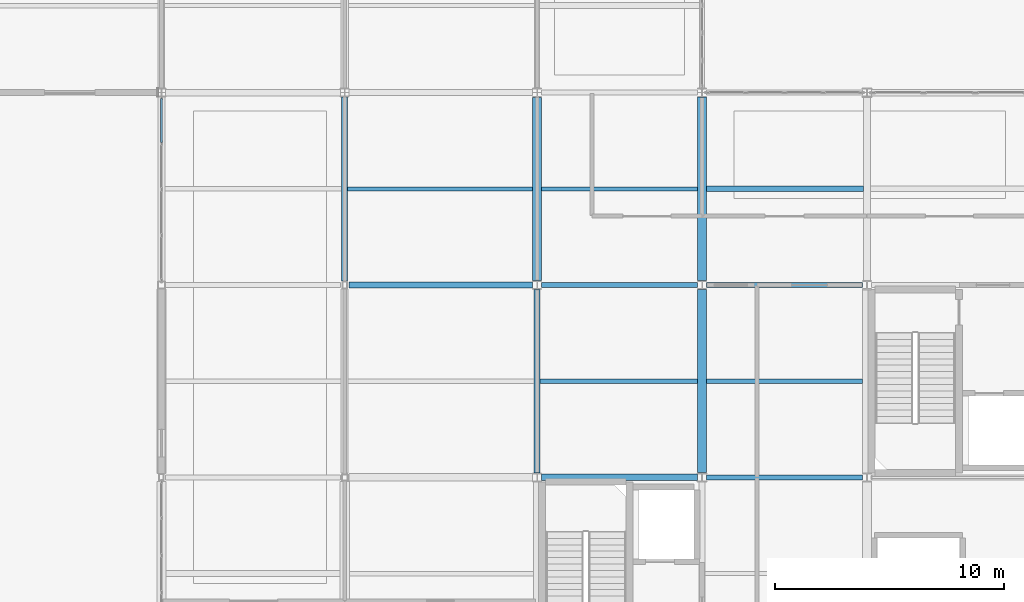
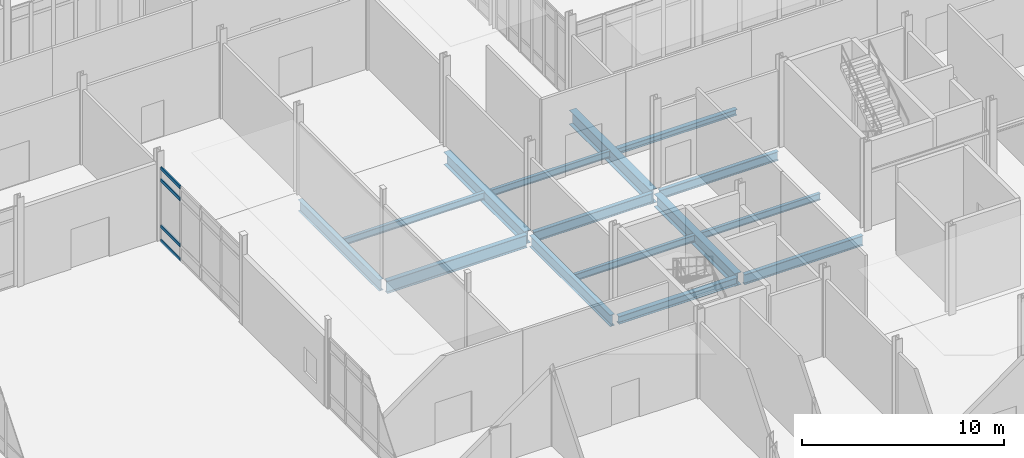
# One storey, part 61 of 229: 15 beams, 4 members, 1 element without a shape of its own.
"""IFC4 building model written with IfcOpenShell, lengths in metres."""

import ifcopenshell
import ifcopenshell.guid

model = None  # the IFC model being written
_history = None  # IfcOwnerHistory: only IFC2X3 demands one
_inside = {}  # id of a spatial element -> (the spatial element, [elements in it])
_under = {}  # id of a project, library or spatial element -> (it, [spatial elements below it])
_declared = {}  # id of a project -> (the project, [libraries it declares])
_typed = {}  # id of a type object -> (the type object, [elements of that type])
_made_of = {}  # id of a material, layer set ... -> (it, [elements and type objects made of it])


def new_model(schema):
    """Start an empty IFC model of exactly this schema.

    Asked for "IFC4X3", IfcOpenShell would pick the latest addendum, in which some entities
    have other attributes; the version numbers below select the first issue.
    IFC2X3 requires an IfcOwnerHistory on every rooted entity: one is made here for all.
    """
    global model, _history
    if schema == "IFC4X3":
        model = ifcopenshell.file(schema_version=(4, 3, 0, 0))
    else:
        model = ifcopenshell.file(schema=schema)
    _inside.clear()
    _under.clear()
    _declared.clear()
    _typed.clear()
    _made_of.clear()
    _history = None
    if model.schema == "IFC2X3":
        org = make("IfcOrganization", Name="unknown")
        user = make(
            "IfcPersonAndOrganization",
            ThePerson=make("IfcPerson", FamilyName="unknown"),
            TheOrganization=org,
        )
        app = make(
            "IfcApplication",
            ApplicationDeveloper=org,
            Version="unknown",
            ApplicationFullName="unknown",
            ApplicationIdentifier="unknown",
        )
        _history = make(
            "IfcOwnerHistory",
            OwningUser=user,
            OwningApplication=app,
            ChangeAction="ADDED",
            CreationDate=0,
        )
    return model


def make(cls, **values):
    """One entity of the class cls with the attributes given. An attribute that is None is left unset."""
    return model.create_entity(
        cls, **{name: value for name, value in values.items() if value is not None}
    )


def rooted(cls, **values):
    """An entity with a GlobalId (a new one), such as an element, a storey or a relation."""
    return make(cls, GlobalId=ifcopenshell.guid.new(), OwnerHistory=_history, **values)


def si_unit(unit_type, name, prefix=None):
    """IfcSIUnit, for example si_unit("LENGTHUNIT", "METRE", prefix="MILLI")."""
    return make("IfcSIUnit", UnitType=unit_type, Prefix=prefix, Name=name)


def assignment(units):
    """IfcUnitAssignment: the units of a project."""
    return None if units is None else make("IfcUnitAssignment", Units=units)


def point(xyz):
    """IfcCartesianPoint."""
    return None if xyz is None else make("IfcCartesianPoint", Coordinates=xyz)


def direction(xyz):
    """IfcDirection."""
    return None if xyz is None else make("IfcDirection", DirectionRatios=xyz)


def frame(location, z_axis=None, x_axis=None):
    """IfcAxis2Placement3D, a coordinate frame: its origin and axes. An axis left out is left unset."""
    return make(
        "IfcAxis2Placement3D",
        Location=point(location),
        Axis=direction(z_axis),
        RefDirection=direction(x_axis),
    )


def frame_2d(location, x_axis=None):
    """IfcAxis2Placement2D, a coordinate frame in the plane: its origin and x axis."""
    return make(
        "IfcAxis2Placement2D", Location=point(location), RefDirection=direction(x_axis)
    )


def origin():
    """The frame at (0, 0, 0) with its axes left unset."""
    return frame((0.0, 0.0, 0.0))


def origin_2d():
    """The frame at (0, 0) in the plane with its x axis left unset."""
    return frame_2d((0.0, 0.0))


def place(relative_to, where):
    """IfcLocalPlacement: puts the frame where relative to a parent placement (None: the world)."""
    return make(
        "IfcLocalPlacement", PlacementRelTo=relative_to, RelativePlacement=where
    )


def context(
    kind, dimensions, precision=None, world=None, true_north=None, identifier=None
):
    """IfcGeometricRepresentationContext, for example the 3D "Model" context."""
    return make(
        "IfcGeometricRepresentationContext",
        ContextIdentifier=identifier,
        ContextType=kind,
        CoordinateSpaceDimension=dimensions,
        Precision=precision,
        WorldCoordinateSystem=world,
        TrueNorth=true_north,
    )


def subcontext(parent, identifier, kind, view, scale=None):
    """IfcGeometricRepresentationSubContext, for example "Body" below "Model"."""
    return make(
        "IfcGeometricRepresentationSubContext",
        ContextIdentifier=identifier,
        ContextType=kind,
        ParentContext=parent,
        TargetScale=scale,
        TargetView=view,
    )


def project(units=None, contexts=None):
    """IfcProject with its units and contexts."""
    return rooted(
        "IfcProject",
        Name="project",
        RepresentationContexts=contexts,
        UnitsInContext=assignment(units),
    )


def spatial(cls, under=None, at=None, **own):
    """A site, building, storey or space (cls), placed at a placement, below another one or the project."""
    s = rooted(cls, ObjectPlacement=at, **own)
    if under is not None:
        _under.setdefault(under.id(), (under, []))[1].append(s)
    return s


def profile(cls, at=None, kind="AREA", **sizes):
    """A parametric profile (cls). Its sizes go by their IFC names, for example OverallWidth=200.0."""
    return make(cls, ProfileType=kind, Position=at, **sizes)


def hollow_rectangle(**sizes):
    """IfcRectangleHollowProfileDef."""
    return profile("IfcRectangleHollowProfileDef", **sizes)


def i_section(**sizes):
    """IfcIShapeProfileDef."""
    return profile("IfcIShapeProfileDef", **sizes)


def extrude(swept, where, along, depth):
    """IfcExtrudedAreaSolid: the profile swept, set in the frame where, extruded along a direction by depth."""
    return make(
        "IfcExtrudedAreaSolid",
        SweptArea=swept,
        Position=where,
        ExtrudedDirection=direction(along),
        Depth=depth,
    )


def shape(context_of_items, identifier, shape_type, items):
    """IfcShapeRepresentation: the items that make up one representation, for example the "Body"."""
    return make(
        "IfcShapeRepresentation",
        ContextOfItems=context_of_items,
        RepresentationIdentifier=identifier,
        RepresentationType=shape_type,
        Items=items,
    )


def material(Name=None, Category=None):
    """IfcMaterial."""
    return make("IfcMaterial", Name=Name, Category=Category)


def layer(
    of_material, thickness, ventilated=None, Name=None, Category=None, Priority=None
):
    """IfcMaterialLayer: one layer of a wall or slab, of a material (None: an air gap)."""
    return make(
        "IfcMaterialLayer",
        Material=of_material,
        LayerThickness=thickness,
        IsVentilated=ventilated,
        Name=Name,
        Category=Category,
        Priority=Priority,
    )


def layer_set(layers, Name=None):
    """IfcMaterialLayerSet."""
    return make("IfcMaterialLayerSet", MaterialLayers=layers, LayerSetName=Name)


def material_profile(
    of_material, cross_section, Name=None, Category=None, Priority=None
):
    """IfcMaterialProfile: a cross section and its material."""
    return make(
        "IfcMaterialProfile",
        Name=Name,
        Material=of_material,
        Profile=cross_section,
        Priority=Priority,
        Category=Category,
    )


def profile_set(profiles, Name=None, composite=None):
    """IfcMaterialProfileSet."""
    return make(
        "IfcMaterialProfileSet",
        Name=Name,
        MaterialProfiles=profiles,
        CompositeProfile=composite,
    )


def made_of(thing, what):
    """Note that an element or type object is made of a material, layer set ...; save() writes the relation."""
    if what is not None:
        _made_of.setdefault(what.id(), (what, []))[1].append(thing)
    return thing


def type_object(cls, material=None, **own):
    """A type object (cls), such as IfcWallType, which elements share."""
    return made_of(rooted(cls, **own), material)


def element(
    cls,
    number,
    at=None,
    inside=None,
    cuts=None,
    type_object=None,
    material=None,
    context=None,
    identifier="Body",
    shape_type=None,
    held_by="IfcProductDefinitionShape",
    body=None,
    shapes=None,
    **own,
):
    """One element of the class cls, such as IfcWall. Its Tag is "e" and its number.

    at: its placement. inside: the storey or other place that contains it. cuts: it is an
    opening in that element (IfcRelVoidsElement). A single representation is given by context,
    identifier, shape_type and body (its items); several are given by shapes. held_by: the class
    of the entity that holds the representations. save() writes the other relations.
    """
    e = rooted(cls, Tag="e%d" % number, ObjectPlacement=at, **own)
    if body is not None:
        shapes = [shape(context, identifier, shape_type, body)]
    if shapes is not None:
        e.Representation = make(held_by, Representations=shapes)
    if inside is not None:
        _inside.setdefault(inside.id(), (inside, []))[1].append(e)
    if cuts is not None:
        rooted(
            "IfcRelVoidsElement", RelatingBuildingElement=cuts, RelatedOpeningElement=e
        )
    if type_object is not None:
        _typed.setdefault(type_object.id(), (type_object, []))[1].append(e)
    return made_of(e, material)


def aggregate(whole, parts):
    """IfcRelAggregates: a whole, such as a stair, and the parts it consists of."""
    return rooted("IfcRelAggregates", RelatingObject=whole, RelatedObjects=parts)


def save(model, path):
    """Write the relations noted so far, then the file.

    IfcRelAggregates (storeys below a building ...), IfcRelContainedInSpatialStructure (elements
    in a storey), IfcRelDefinesByType, IfcRelAssociatesMaterial and IfcRelDeclares: one each for
    every whole, place, type object, material and project.
    """
    for whole, parts in _under.values():
        aggregate(whole, parts)
    for where, things in _inside.values():
        rooted(
            "IfcRelContainedInSpatialStructure",
            RelatedElements=things,
            RelatingStructure=where,
        )
    for kind, things in _typed.values():
        rooted("IfcRelDefinesByType", RelatedObjects=things, RelatingType=kind)
    for what, things in _made_of.values():
        rooted("IfcRelAssociatesMaterial", RelatedObjects=things, RelatingMaterial=what)
    for by, libraries in _declared.values():
        rooted("IfcRelDeclares", RelatingContext=by, RelatedDefinitions=libraries)
    model.write(path)


model = new_model("IFC4")

# Units and contexts
model_context = context("Model", 3, precision=1e-05, world=origin(), true_north=direction((0.0, 1.0)))
body_context = subcontext(model_context, "Body", "Model", "MODEL_VIEW")
ifc_project = project(units=[si_unit("LENGTHUNIT", "METRE"), si_unit("AREAUNIT", "SQUARE_METRE"), si_unit("VOLUMEUNIT", "CUBIC_METRE"), si_unit("PLANEANGLEUNIT", "RADIAN"), si_unit("MASSUNIT", "GRAM", prefix="KILO")], contexts=[model_context])

# Site, building, storey
site_placement = place(None, origin())
site = spatial("IfcSite", under=ifc_project, at=site_placement, CompositionType="ELEMENT")
building_placement = place(site_placement, origin())
building = spatial("IfcBuilding", under=site, at=building_placement, Name="Calvrana Isthmian Art Gallery", CompositionType="ELEMENT")
storey_placement = place(building_placement, origin())
storey = spatial("IfcBuildingStorey", under=building, at=storey_placement, Name="L00", CompositionType="ELEMENT", Elevation=0.0)

# Beams
ifc_material_1 = material(Name="Steel ASTM A992 Gr 50", Category="steel")
ifc_material_profile_1 = material_profile(ifc_material_1, i_section(OverallWidth=0.279052734375, OverallDepth=0.4619140625, WebThickness=0.0107421875, FlangeThickness=0.017333984375, FilletRadius=0.02001953125, at=origin_2d()), Name="W18X76")
ifc_profile_set_1 = profile_set([ifc_material_profile_1], Name="Steel ASTM A992 Gr 50")
beam_type_1 = type_object("IfcBeamType", Name="BM-G-W18X76", PredefinedType="BEAM", material=ifc_profile_set_1)
beam_1_placement = place(storey_placement, frame((112.99951171875, 30.0, -0.51611328125), z_axis=(1.0, 0.0, 0.0), x_axis=(0.0, 1.0, 0.0)))
element("IfcBeam", 1, at=beam_1_placement, inside=storey, type_object=beam_type_1, Name="Girder X L00 15-16/E", PredefinedType="BEAM", context=body_context, shape_type="SweptSolid", body=[
    extrude(i_section(OverallWidth=0.279052734375, OverallDepth=0.4619140625, WebThickness=0.0107421875, FlangeThickness=0.017333984375, FilletRadius=0.02001953125, at=origin_2d()), origin(), (0.0, 0.0, 1.0), 6.797607421875),
])
ifc_material_profile_2 = material_profile(ifc_material_1, i_section(OverallWidth=0.214111328125, OverallDepth=0.549072265625, WebThickness=0.0146484375, FlangeThickness=0.023681640625, FilletRadius=0.02099609375, at=origin_2d()), Name="W21X93")
ifc_profile_set_2 = profile_set([ifc_material_profile_2], Name="Steel ASTM A992 Gr 50")
beam_type_2 = type_object("IfcBeamType", Name="BM-G-W21X93", PredefinedType="BEAM", material=ifc_profile_set_2)
beam_2_placement = place(storey_placement, frame((120.199462890625, 38.39990234375, -0.5595703125), z_axis=(1.0, 0.0, 0.0), x_axis=(0.0, 1.0, 0.0)))
element("IfcBeam", 2, at=beam_2_placement, inside=storey, type_object=beam_type_2, Name="Girder X L00 16-17/F", PredefinedType="BEAM", context=body_context, shape_type="SweptSolid", body=[
    extrude(i_section(OverallWidth=0.214111328125, OverallDepth=0.549072265625, WebThickness=0.0146484375, FlangeThickness=0.023681640625, FilletRadius=0.02099609375, at=origin_2d()), origin(), (0.0, 0.0, 1.0), 6.798583984375),
])
ifc_material_profile_3 = material_profile(ifc_material_1, i_section(OverallWidth=0.22802734375, OverallDepth=0.60693359375, WebThickness=0.01123046875, FlangeThickness=0.017333984375, FilletRadius=0.02197265625, at=origin_2d()), Name="W24X76")
ifc_profile_set_3 = profile_set([ifc_material_profile_3], Name="Steel ASTM A992 Gr 50")
beam_type_3 = type_object("IfcBeamType", Name="BM-G-W24X76", PredefinedType="BEAM", material=ifc_profile_set_3)
beam_3_placement = place(storey_placement, frame((120.202880859375, 30.0, -0.58837890625), z_axis=(1.0, 0.0, 0.0), x_axis=(0.0, 1.0, 0.0)))
element("IfcBeam", 3, at=beam_3_placement, inside=storey, type_object=beam_type_3, Name="Girder X L00 16-17/E", PredefinedType="BEAM", context=body_context, shape_type="SweptSolid", body=[
    extrude(i_section(OverallWidth=0.22802734375, OverallDepth=0.60693359375, WebThickness=0.01123046875, FlangeThickness=0.017333984375, FilletRadius=0.02197265625, at=origin_2d()), origin(), (0.0, 0.0, 1.0), 6.796630859375),
])
beam_4_placement = place(storey_placement, frame((113.00048828125, 38.39990234375, -0.58837890625), z_axis=(1.0, 0.0, 0.0), x_axis=(0.0, 1.0, 0.0)))
element("IfcBeam", 4, at=beam_4_placement, inside=storey, type_object=beam_type_3, Name="Girder X L00 15-16/F", PredefinedType="BEAM", context=body_context, shape_type="SweptSolid", body=[
    extrude(i_section(OverallWidth=0.22802734375, OverallDepth=0.60693359375, WebThickness=0.01123046875, FlangeThickness=0.017333984375, FilletRadius=0.02197265625, at=origin_2d()), origin(), (0.0, 0.0, 1.0), 6.800048828125),
])
ifc_material_profile_4 = material_profile(ifc_material_1, i_section(OverallWidth=0.257080078125, OverallDepth=0.693115234375, WebThickness=0.014404296875, FlangeThickness=0.023681640625, FilletRadius=0.02392578125, at=origin_2d()), Name="W27X114")
ifc_profile_set_4 = profile_set([ifc_material_profile_4], Name="Steel ASTM A992 Gr 50")
beam_type_4 = type_object("IfcBeamType", Name="BM-G-W27X114", PredefinedType="BEAM", material=ifc_profile_set_4)
beam_5_placement = place(storey_placement, frame((104.39990234375, 38.577880859375, -0.631591796875), z_axis=(0.0, 1.0, 0.0), x_axis=(-1.0, 0.0, 0.0)))
element("IfcBeam", 5, at=beam_5_placement, inside=storey, type_object=beam_type_4, Name="Girder Y L00 14/F-G", PredefinedType="BEAM", context=body_context, shape_type="SweptSolid", body=[
    extrude(i_section(OverallWidth=0.257080078125, OverallDepth=0.693115234375, WebThickness=0.014404296875, FlangeThickness=0.023681640625, FilletRadius=0.02392578125, at=origin_2d()), origin(), (0.0, 0.0, 1.0), 8.04052734375),
])
beam_6_placement = place(storey_placement, frame((112.800048828125, 30.197021484375, -0.631591796875), z_axis=(0.0, 1.0, 0.0), x_axis=(-1.0, 0.0, 0.0)))
element("IfcBeam", 6, at=beam_6_placement, inside=storey, type_object=beam_type_4, Name="Girder Y L00 15/E-F", PredefinedType="BEAM", context=body_context, shape_type="SweptSolid", body=[
    extrude(i_section(OverallWidth=0.257080078125, OverallDepth=0.693115234375, WebThickness=0.014404296875, FlangeThickness=0.023681640625, FilletRadius=0.02392578125, at=origin_2d()), origin(), (0.0, 0.0, 1.0), 8.00341796875),
])
ifc_material_profile_5 = material_profile(ifc_material_1, i_section(OverallWidth=0.26708984375, OverallDepth=0.761962890625, WebThickness=0.014404296875, FlangeThickness=0.021484375, FilletRadius=0.02490234375, at=origin_2d()), Name="W30X116")
ifc_profile_set_5 = profile_set([ifc_material_profile_5], Name="Steel ASTM A992 Gr 50")
beam_type_5 = type_object("IfcBeamType", Name="BM-G-W30X116", PredefinedType="BEAM", material=ifc_profile_set_5)
beam_7_placement = place(storey_placement, frame((104.583984375, 38.39990234375, -0.666015625), z_axis=(1.0, 0.0, 0.0), x_axis=(0.0, 1.0, 0.0)))
element("IfcBeam", 7, at=beam_7_placement, inside=storey, type_object=beam_type_5, Name="Girder X L00 14-15/F", PredefinedType="BEAM", context=body_context, shape_type="SweptSolid", body=[
    extrude(i_section(OverallWidth=0.26708984375, OverallDepth=0.761962890625, WebThickness=0.014404296875, FlangeThickness=0.021484375, FilletRadius=0.02490234375, at=origin_2d()), origin(), (0.0, 0.0, 1.0), 8.015625),
])
ifc_material_profile_6 = material_profile(ifc_material_1, i_section(OverallWidth=0.381103515625, OverallDepth=0.77197265625, WebThickness=0.0166015625, FlangeThickness=0.027099609375, FilletRadius=0.02490234375, at=origin_2d()), Name="W30X173")
ifc_profile_set_6 = profile_set([ifc_material_profile_6], Name="Steel ASTM A992 Gr 50")
beam_type_6 = type_object("IfcBeamType", Name="BM-G-W30X173", PredefinedType="BEAM", material=ifc_profile_set_6)
beam_8_placement = place(storey_placement, frame((112.800048828125, 38.599609375, -0.69091796875), z_axis=(0.0, 1.0, 0.0), x_axis=(-1.0, 0.0, 0.0)))
element("IfcBeam", 8, at=beam_8_placement, inside=storey, type_object=beam_type_6, Name="Girder Y L00 15/F-G", PredefinedType="BEAM", context=body_context, shape_type="SweptSolid", body=[
    extrude(i_section(OverallWidth=0.381103515625, OverallDepth=0.77197265625, WebThickness=0.0166015625, FlangeThickness=0.027099609375, FilletRadius=0.02490234375, at=origin_2d()), origin(), (0.0, 0.0, 1.0), 7.997314453125),
])
beam_9_placement = place(storey_placement, frame((120.0, 30.20849609375, -0.6708984375), z_axis=(0.0, 1.0, 0.0), x_axis=(-1.0, 0.0, 0.0)))
element("IfcBeam", 9, at=beam_9_placement, inside=storey, type_object=beam_type_6, Name="Girder Y L00 16/E-F", PredefinedType="BEAM", context=body_context, shape_type="SweptSolid", body=[
    extrude(i_section(OverallWidth=0.381103515625, OverallDepth=0.77197265625, WebThickness=0.0166015625, FlangeThickness=0.027099609375, FilletRadius=0.02490234375, at=origin_2d()), origin(), (0.0, 0.0, 1.0), 7.99853515625),
])
ifc_material_profile_7 = material_profile(ifc_material_1, i_section(OverallWidth=0.40087890625, OverallDepth=0.85595703125, WebThickness=0.018310546875, FlangeThickness=0.029296875, FilletRadius=0.02587890625, at=origin_2d()), Name="W33X201")
ifc_profile_set_7 = profile_set([ifc_material_profile_7], Name="Steel ASTM A992 Gr 50")
beam_type_7 = type_object("IfcBeamType", Name="BM-G-W33X201", PredefinedType="BEAM", material=ifc_profile_set_7)
beam_10_placement = place(storey_placement, frame((120.0, 38.593017578125, -0.73291015625), z_axis=(0.0, 1.0, 0.0), x_axis=(-1.0, 0.0, 0.0)))
element("IfcBeam", 10, at=beam_10_placement, inside=storey, type_object=beam_type_7, Name="Girder Y L00 16/F-G", PredefinedType="BEAM", context=body_context, shape_type="SweptSolid", body=[
    extrude(i_section(OverallWidth=0.40087890625, OverallDepth=0.85595703125, WebThickness=0.018310546875, FlangeThickness=0.029296875, FilletRadius=0.02587890625, at=origin_2d()), origin(), (0.0, 0.0, 1.0), 8.010009765625),
])
ifc_material_profile_8 = material_profile(ifc_material_1, i_section(OverallWidth=0.25390625, OverallDepth=0.35302734375, WebThickness=0.009521484375, FlangeThickness=0.016357421875, FilletRadius=0.01806640625, at=origin_2d()), Name="W14X61")
ifc_profile_set_8 = profile_set([ifc_material_profile_8], Name="Steel ASTM A992 Gr 50")
beam_type_8 = type_object("IfcBeamType", Name="BM-J-W14X61", PredefinedType="JOIST", material=ifc_profile_set_8)
beam_11_placement = place(storey_placement, frame((120.200439453125, 42.60009765625, -0.46142578125), z_axis=(1.0, 0.0, 0.0), x_axis=(0.0, 1.0, 0.0)))
element("IfcBeam", 11, at=beam_11_placement, inside=storey, type_object=beam_type_8, Name="Composite joist L00 bay 15-05", PredefinedType="JOIST", context=body_context, shape_type="SweptSolid", body=[
    extrude(i_section(OverallWidth=0.25390625, OverallDepth=0.35302734375, WebThickness=0.009521484375, FlangeThickness=0.016357421875, FilletRadius=0.01806640625, at=origin_2d()), origin(), (0.0, 0.0, 1.0), 6.845947265625),
])
ifc_material_profile_9 = material_profile(ifc_material_1, i_section(OverallWidth=0.177978515625, OverallDepth=0.404052734375, WebThickness=0.007568359375, FlangeThickness=0.010986328125, FilletRadius=0.01806640625, at=origin_2d()), Name="W16X36")
ifc_profile_set_9 = profile_set([ifc_material_profile_9], Name="Steel ASTM A992 Gr 50")
beam_type_9 = type_object("IfcBeamType", Name="BM-J-W16X36", PredefinedType="JOIST", material=ifc_profile_set_9)
for number, where, z_axis, x_axis, name in (
    (12, (112.990478515625, 42.60009765625, -0.487060546875), (1.0, 0.0, 0.0), (0.0, 1.0, 0.0), "Composite joist L00 bay 14-05"),
    (13, (120.1904296875, 34.199951171875, -0.487060546875), (1.0, 0.0, 0.0), (0.0, 1.0, 0.0), "Composite joist L00 bay 15-04"),
):
    element("IfcBeam", number, at=place(storey_placement, frame(where, z_axis=z_axis, x_axis=x_axis)), inside=storey, type_object=beam_type_9, Name=name, PredefinedType="JOIST", context=body_context, shape_type="SweptSolid", body=[
        extrude(i_section(OverallWidth=0.177978515625, OverallDepth=0.404052734375, WebThickness=0.007568359375, FlangeThickness=0.010986328125, FilletRadius=0.01806640625, at=origin_2d()), origin(), (0.0, 0.0, 1.0), 6.80908203125),
    ])
ifc_material_profile_10 = material_profile(ifc_material_1, i_section(OverallWidth=0.179931640625, OverallDepth=0.4140625, WebThickness=0.009765625, FlangeThickness=0.01611328125, FilletRadius=0.01806640625, at=origin_2d()), Name="W16X50")
ifc_profile_set_10 = profile_set([ifc_material_profile_10], Name="Steel ASTM A992 Gr 50")
beam_type_10 = type_object("IfcBeamType", Name="BM-J-W16X50", PredefinedType="JOIST", material=ifc_profile_set_10)
beam_12_placement = place(storey_placement, frame((104.528564453125, 42.60009765625, -0.491943359375), z_axis=(1.0, 0.0, 0.0), x_axis=(0.0, 1.0, 0.0)))
element("IfcBeam", 14, at=beam_12_placement, inside=storey, type_object=beam_type_10, Name="Composite joist L00 bay 13-05", PredefinedType="JOIST", context=body_context, shape_type="SweptSolid", body=[
    extrude(i_section(OverallWidth=0.179931640625, OverallDepth=0.4140625, WebThickness=0.009765625, FlangeThickness=0.01611328125, FilletRadius=0.01806640625, at=origin_2d()), origin(), (0.0, 0.0, 1.0), 8.0810546875),
])
beam_13_placement = place(storey_placement, frame((112.928466796875, 34.199951171875, -0.491943359375), z_axis=(1.0, 0.0, 0.0), x_axis=(0.0, 1.0, 0.0)))
element("IfcBeam", 15, at=beam_13_placement, inside=storey, type_object=beam_type_10, Name="Composite joist L00 bay 14-04", PredefinedType="JOIST", context=body_context, shape_type="SweptSolid", body=[
    extrude(i_section(OverallWidth=0.179931640625, OverallDepth=0.4140625, WebThickness=0.009765625, FlangeThickness=0.01611328125, FilletRadius=0.01806640625, at=origin_2d()), origin(), (0.0, 0.0, 1.0), 6.881103515625),
])

# Curtain wall, members
ifc_material_2 = material(Name="Anodized bronze aluminium 6063-T6", Category="aluminium")
ifc_layer = layer(ifc_material_2, 0.179931640625, Name="Anodized bronze aluminium 6063-T6")
ifc_layer_set = layer_set([ifc_layer], Name="Anodized bronze aluminium 6063-T6")
curtain_wall_type = type_object("IfcCurtainWallType", Name="CW-STICK-081X44", PredefinedType="NOTDEFINED", material=ifc_layer_set)
curtain_wall_placement = place(storey_placement, origin())
curtain_wall = element("IfcCurtainWall", 16, at=curtain_wall_placement, inside=storey, type_object=curtain_wall_type, Name="Curtain wall CW-074", PredefinedType="NOTDEFINED")
ifc_material_profile_11 = material_profile(ifc_material_2, hollow_rectangle(XDim=0.074951171875, YDim=0.18994140625, WallThickness=0.00439453125, at=origin_2d()), Name="CWT75X190")
ifc_profile_set_11 = profile_set([ifc_material_profile_11], Name="Anodized bronze aluminium 6063-T6")
member_type = type_object("IfcMemberType", Name="CWT-CWT75X190", PredefinedType="USERDEFINED", material=ifc_profile_set_11)
member_1_placement = place(storey_placement, frame((96.39990234375, 44.630615234375, 0.03759765625), z_axis=(0.0, 1.0, 0.0), x_axis=(-1.0, 0.0, 0.0)))
member_1 = element("IfcMember", 17, at=member_1_placement, type_object=member_type, Name="CW-074 transom 4.1", ObjectType="TRANSOM", PredefinedType="USERDEFINED", context=body_context, shape_type="SweptSolid", body=[
    extrude(hollow_rectangle(XDim=0.074951171875, YDim=0.18994140625, WallThickness=0.00439453125, at=origin_2d()), origin(), (0.0, 0.0, 1.0), 1.91796875),
])
member_2_placement = place(storey_placement, frame((96.39990234375, 44.630615234375, 0.89990234375), z_axis=(0.0, 1.0, 0.0), x_axis=(-1.0, 0.0, 0.0)))
member_2 = element("IfcMember", 18, at=member_2_placement, type_object=member_type, Name="CW-074 transom 4.2", ObjectType="TRANSOM", PredefinedType="USERDEFINED", context=body_context, shape_type="SweptSolid", body=[
    extrude(hollow_rectangle(XDim=0.074951171875, YDim=0.18994140625, WallThickness=0.00439453125, at=origin_2d()), origin(), (0.0, 0.0, 1.0), 1.91796875),
])
member_3_placement = place(storey_placement, frame((96.39990234375, 44.630615234375, 3.697021484375), z_axis=(0.0, 1.0, 0.0), x_axis=(-1.0, 0.0, 0.0)))
member_3 = element("IfcMember", 19, at=member_3_placement, type_object=member_type, Name="CW-074 transom 4.3", ObjectType="TRANSOM", PredefinedType="USERDEFINED", context=body_context, shape_type="SweptSolid", body=[
    extrude(hollow_rectangle(XDim=0.074951171875, YDim=0.18994140625, WallThickness=0.00439453125, at=origin_2d()), origin(), (0.0, 0.0, 1.0), 1.91796875),
])
member_4_placement = place(storey_placement, frame((96.39990234375, 44.630615234375, 4.409423828125), z_axis=(0.0, 1.0, 0.0), x_axis=(-1.0, 0.0, 0.0)))
member_4 = element("IfcMember", 20, at=member_4_placement, type_object=member_type, Name="CW-074 transom 4.4", ObjectType="TRANSOM", PredefinedType="USERDEFINED", context=body_context, shape_type="SweptSolid", body=[
    extrude(hollow_rectangle(XDim=0.074951171875, YDim=0.18994140625, WallThickness=0.00439453125, at=origin_2d()), origin(), (0.0, 0.0, 1.0), 1.91796875),
])
aggregate(curtain_wall, [member_1, member_2, member_3, member_4])

save(model, "model.ifc")
